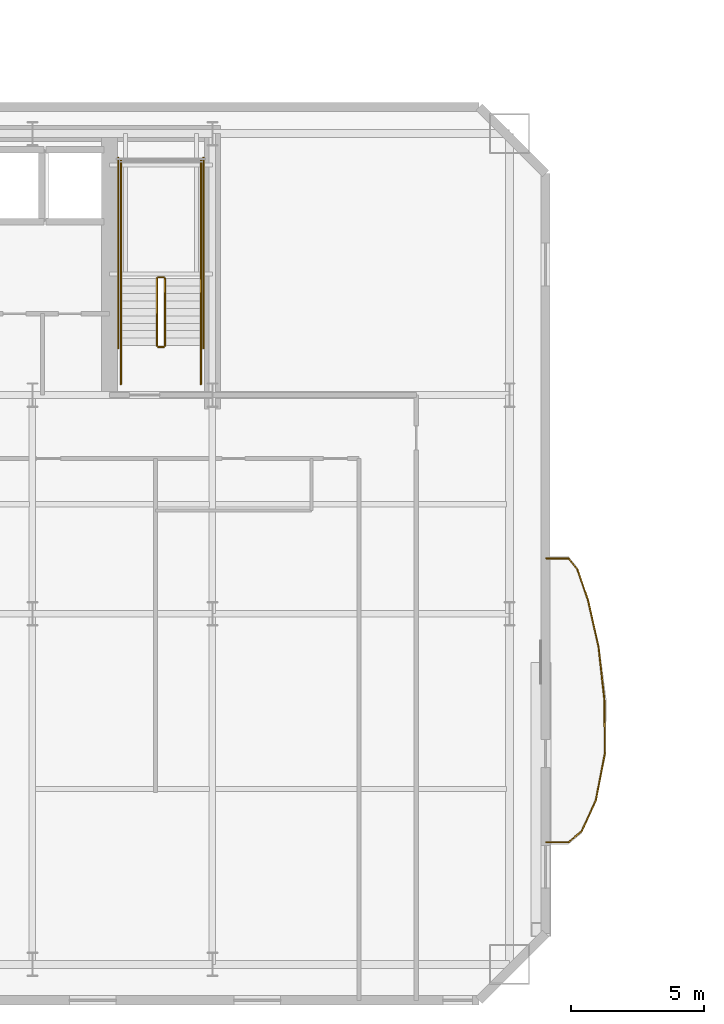
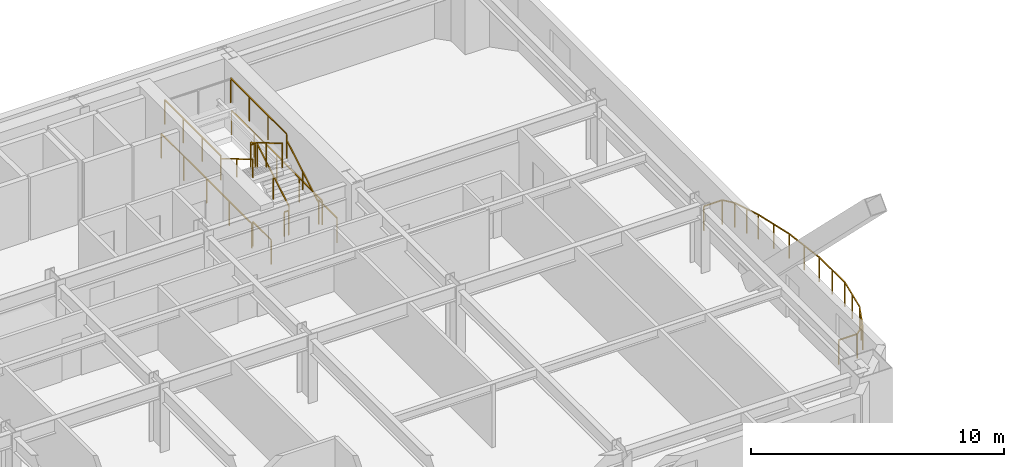
# One storey, part 13 of 18: 22 railings.
"""IFC4 building model written with IfcOpenShell, lengths in metres."""

from ifc_helpers import new_model, si_unit, direction, frame, origin, origin_2d, place, context, subcontext, project, spatial, rectangle, extrude, material, type_object, element, save


model = new_model("IFC4")

# Units and contexts
model_context = context("Model", 3, precision=1e-05, world=origin(), true_north=direction((0.0, 1.0)))
body_context = subcontext(model_context, "Body", "Model", "MODEL_VIEW")
ifc_project = project(units=[si_unit("LENGTHUNIT", "METRE"), si_unit("AREAUNIT", "SQUARE_METRE"), si_unit("VOLUMEUNIT", "CUBIC_METRE"), si_unit("PLANEANGLEUNIT", "RADIAN"), si_unit("MASSUNIT", "GRAM", prefix="KILO")], contexts=[model_context])

# Site, building, storey
site_placement = place(None, origin())
site = spatial("IfcSite", under=ifc_project, at=site_placement, CompositionType="ELEMENT")
building_placement = place(site_placement, origin())
building = spatial("IfcBuilding", under=site, at=building_placement, Name="Haevon Station Towers", CompositionType="ELEMENT")
storey_placement = place(building_placement, frame((0.0, 0.0, 60.300048828125)))
storey = spatial("IfcBuildingStorey", under=building, at=storey_placement, Name="L15", CompositionType="ELEMENT", Elevation=60.300048828125)

# Railings
ifc_material = material(Name="Steel S355", Category="steel")
railing_type_1 = type_object("IfcRailingType", Name="GRD-EXT1200", PredefinedType="GUARDRAIL", material=ifc_material)
railing_1_placement = place(storey_placement, frame((63.523681640625, 21.427734375, 0.0)))
element("IfcRailing", 1, at=railing_1_placement, inside=storey, type_object=railing_type_1, Name="L15 Perimeter Guardrail 1", PredefinedType="GUARDRAIL", context=body_context, shape_type="SweptSolid", body=[
    extrude(rectangle(XDim=0.048095703125, YDim=0.048095703125, at=origin_2d()), frame((0.0, 0.0, 1.17578125), z_axis=(0.999997283225, 0.002330995998, 0.0), x_axis=(-0.002330995998, 0.999997283225, 0.0)), (0.0, 0.0, 1.0), 0.837890625),
    extrude(rectangle(XDim=0.0419921875, YDim=0.0419921875, at=origin_2d()), origin(), (0.0, 0.0, 1.0), 1.15185546875),
    extrude(rectangle(XDim=0.0419921875, YDim=0.0419921875, at=origin_2d()), frame((0.837890625, 0.001953125, 0.0)), (0.0, 0.0, 1.0), 1.15185546875),
])
railing_2_placement = place(storey_placement, frame((64.361572265625, 21.4296875, 0.0)))
element("IfcRailing", 2, at=railing_2_placement, inside=storey, type_object=railing_type_1, Name="L15 Perimeter Guardrail 2", PredefinedType="GUARDRAIL", context=body_context, shape_type="SweptSolid", body=[
    extrude(rectangle(XDim=0.048095703125, YDim=0.048095703125, at=origin_2d()), frame((0.0, 0.0, 1.17578125), z_axis=(0.766342909973, 0.642431742938, 0.0), x_axis=(-0.642431742938, 0.766342909973, 0.0)), (0.0, 0.0, 1.0), 0.640380859375),
    extrude(rectangle(XDim=0.0419921875, YDim=0.0419921875, at=origin_2d()), origin(), (0.0, 0.0, 1.0), 1.15185546875),
    extrude(rectangle(XDim=0.0419921875, YDim=0.0419921875, at=origin_2d()), frame((0.49072265625, 0.411376953125, 0.0)), (0.0, 0.0, 1.0), 1.15185546875),
])
railing_3_placement = place(storey_placement, frame((64.852294921875, 21.841064453125, 0.0)))
element("IfcRailing", 3, at=railing_3_placement, inside=storey, type_object=railing_type_1, Name="L15 Perimeter Guardrail 3", PredefinedType="GUARDRAIL", context=body_context, shape_type="SweptSolid", body=[
    extrude(rectangle(XDim=0.048095703125, YDim=0.048095703125, at=origin_2d()), frame((0.0, 0.0, 1.17578125), z_axis=(0.414318131111, 0.910132125701, 0.0), x_axis=(-0.910132125701, 0.414318131111, 0.0)), (0.0, 0.0, 1.0), 1.28515625),
    extrude(rectangle(XDim=0.0419921875, YDim=0.0419921875, at=origin_2d()), origin(), (0.0, 0.0, 1.0), 1.15185546875),
    extrude(rectangle(XDim=0.0419921875, YDim=0.0419921875, at=origin_2d()), frame((0.26611328125, 0.5849609375, 0.0)), (0.0, 0.0, 1.0), 1.15185546875),
    extrude(rectangle(XDim=0.0419921875, YDim=0.0419921875, at=origin_2d()), frame((0.532470703125, 1.169677734375, 0.0)), (0.0, 0.0, 1.0), 1.15185546875),
])
railing_4_placement = place(storey_placement, frame((65.384765625, 23.0107421875, 0.0)))
element("IfcRailing", 4, at=railing_4_placement, inside=storey, type_object=railing_type_1, Name="L15 Perimeter Guardrail 4", PredefinedType="GUARDRAIL", context=body_context, shape_type="SweptSolid", body=[
    extrude(rectangle(XDim=0.048095703125, YDim=0.048095703125, at=origin_2d()), frame((0.0, 0.0, 1.17578125), z_axis=(0.189270206795, 0.981925042363, 0.0), x_axis=(-0.981925042363, 0.189270206795, 0.0)), (0.0, 0.0, 1.0), 1.777587890625),
    extrude(rectangle(XDim=0.0419921875, YDim=0.0419921875, at=origin_2d()), origin(), (0.0, 0.0, 1.0), 1.15185546875),
    extrude(rectangle(XDim=0.0419921875, YDim=0.0419921875, at=origin_2d()), frame((0.168212890625, 0.87255859375, 0.0)), (0.0, 0.0, 1.0), 1.15185546875),
    extrude(rectangle(XDim=0.0419921875, YDim=0.0419921875, at=origin_2d()), frame((0.33642578125, 1.745361328125, 0.0)), (0.0, 0.0, 1.0), 1.15185546875),
])
railing_5_placement = place(storey_placement, frame((65.72119140625, 24.756103515625, 0.0)))
element("IfcRailing", 5, at=railing_5_placement, inside=storey, type_object=railing_type_1, Name="L15 Perimeter Guardrail 5", PredefinedType="GUARDRAIL", context=body_context, shape_type="SweptSolid", body=[
    extrude(rectangle(XDim=0.048095703125, YDim=0.048095703125, at=origin_2d()), frame((0.0, 0.0, 1.17578125), z_axis=(-0.008448333236, 0.999964312196, 0.0), x_axis=(-0.999964312196, -0.008448333236, 0.0)), (0.0, 0.0, 1.0), 1.993896484375),
    extrude(rectangle(XDim=0.0419921875, YDim=0.0419921875, at=origin_2d()), origin(), (0.0, 0.0, 1.0), 1.15185546875),
    extrude(rectangle(XDim=0.0419921875, YDim=0.0419921875, at=origin_2d()), frame((-0.00830078125, 0.9970703125, 0.0)), (0.0, 0.0, 1.0), 1.15185546875),
    extrude(rectangle(XDim=0.0419921875, YDim=0.0419921875, at=origin_2d()), frame((-0.016845703125, 1.993896484375, 0.0)), (0.0, 0.0, 1.0), 1.15185546875),
])
railing_6_placement = place(storey_placement, frame((65.704345703125, 26.75, 0.0)))
element("IfcRailing", 6, at=railing_6_placement, inside=storey, type_object=railing_type_1, Name="L15 Perimeter Guardrail 6", PredefinedType="GUARDRAIL", context=body_context, shape_type="SweptSolid", body=[
    extrude(rectangle(XDim=0.048095703125, YDim=0.048095703125, at=origin_2d()), frame((0.0, 0.0, 1.17578125), z_axis=(-0.108852691243, 0.994057891478, 0.0), x_axis=(-0.994057891478, -0.108852691243, 0.0)), (0.0, 0.0, 1.0), 2.0029296875),
    extrude(rectangle(XDim=0.0419921875, YDim=0.0419921875, at=origin_2d()), origin(), (0.0, 0.0, 1.0), 1.15185546875),
    extrude(rectangle(XDim=0.0419921875, YDim=0.0419921875, at=origin_2d()), frame((-0.10888671875, 0.99560546875, 0.0)), (0.0, 0.0, 1.0), 1.15185546875),
    extrude(rectangle(XDim=0.0419921875, YDim=0.0419921875, at=origin_2d()), frame((-0.218017578125, 1.990966796875, 0.0)), (0.0, 0.0, 1.0), 1.15185546875),
])
railing_7_placement = place(storey_placement, frame((65.486328125, 28.740966796875, 0.0)))
element("IfcRailing", 7, at=railing_7_placement, inside=storey, type_object=railing_type_1, Name="L15 Perimeter Guardrail 7", PredefinedType="GUARDRAIL", context=body_context, shape_type="SweptSolid", body=[
    extrude(rectangle(XDim=0.048095703125, YDim=0.048095703125, at=origin_2d()), frame((0.0, 0.0, 1.17578125), z_axis=(-0.219570571944, 0.975596619478, 0.0), x_axis=(-0.975596619478, -0.219570571944, 0.0)), (0.0, 0.0, 1.0), 1.791259765625),
    extrude(rectangle(XDim=0.0419921875, YDim=0.0419921875, at=origin_2d()), origin(), (0.0, 0.0, 1.0), 1.15185546875),
    extrude(rectangle(XDim=0.0419921875, YDim=0.0419921875, at=origin_2d()), frame((-0.19677734375, 0.873779296875, 0.0)), (0.0, 0.0, 1.0), 1.15185546875),
    extrude(rectangle(XDim=0.0419921875, YDim=0.0419921875, at=origin_2d()), frame((-0.393310546875, 1.74755859375, 0.0)), (0.0, 0.0, 1.0), 1.15185546875),
])
railing_8_placement = place(storey_placement, frame((65.093017578125, 30.488525390625, 0.0)))
element("IfcRailing", 8, at=railing_8_placement, inside=storey, type_object=railing_type_1, Name="L15 Perimeter Guardrail 8", PredefinedType="GUARDRAIL", context=body_context, shape_type="SweptSolid", body=[
    extrude(rectangle(XDim=0.048095703125, YDim=0.048095703125, at=origin_2d()), frame((0.0, 0.0, 1.17578125), z_axis=(-0.324208289562, 0.94598572134, 0.0), x_axis=(-0.94598572134, -0.324208289562, 0.0)), (0.0, 0.0, 1.0), 1.2373046875),
    extrude(rectangle(XDim=0.0419921875, YDim=0.0419921875, at=origin_2d()), origin(), (0.0, 0.0, 1.0), 1.15185546875),
    extrude(rectangle(XDim=0.0419921875, YDim=0.0419921875, at=origin_2d()), frame((-0.20068359375, 0.585205078125, 0.0)), (0.0, 0.0, 1.0), 1.15185546875),
    extrude(rectangle(XDim=0.0419921875, YDim=0.0419921875, at=origin_2d()), frame((-0.401123046875, 1.17041015625, 0.0)), (0.0, 0.0, 1.0), 1.15185546875),
])
railing_9_placement = place(storey_placement, frame((64.69189453125, 31.658935546875, 0.0)))
element("IfcRailing", 9, at=railing_9_placement, inside=storey, type_object=railing_type_1, Name="L15 Perimeter Guardrail 9", PredefinedType="GUARDRAIL", context=body_context, shape_type="SweptSolid", body=[
    extrude(rectangle(XDim=0.048095703125, YDim=0.048095703125, at=origin_2d()), frame((0.0, 0.0, 1.17578125), z_axis=(-0.626104860379, 0.779738868987, 0.0), x_axis=(-0.779738868987, -0.626104860379, 0.0)), (0.0, 0.0, 1.0), 0.527587890625),
    extrude(rectangle(XDim=0.0419921875, YDim=0.0419921875, at=origin_2d()), origin(), (0.0, 0.0, 1.0), 1.15185546875),
    extrude(rectangle(XDim=0.0419921875, YDim=0.0419921875, at=origin_2d()), frame((-0.330322265625, 0.411376953125, 0.0)), (0.0, 0.0, 1.0), 1.15185546875),
])
railing_10_placement = place(storey_placement, frame((64.361572265625, 32.0703125, 0.0)))
element("IfcRailing", 10, at=railing_10_placement, inside=storey, type_object=railing_type_1, Name="L15 Perimeter Guardrail 10", PredefinedType="GUARDRAIL", context=body_context, shape_type="SweptSolid", body=[
    extrude(rectangle(XDim=0.048095703125, YDim=0.048095703125, at=origin_2d()), frame((0.0, 0.0, 1.17578125), z_axis=(-0.999997283225, 0.002330995998, 0.0), x_axis=(-0.002330995998, -0.999997283225, 0.0)), (0.0, 0.0, 1.0), 0.837890625),
    extrude(rectangle(XDim=0.0419921875, YDim=0.0419921875, at=origin_2d()), origin(), (0.0, 0.0, 1.0), 1.15185546875),
    extrude(rectangle(XDim=0.0419921875, YDim=0.0419921875, at=origin_2d()), frame((-0.837890625, 0.001953125, 0.0)), (0.0, 0.0, 1.0), 1.15185546875),
])
railing_type_2 = type_object("IfcRailingType", Name="GRD-STR1200", PredefinedType="GUARDRAIL", material=ifc_material)
railing_11_placement = place(storey_placement, frame((49.219970703125, 40.050048828125, 0.1650390625)))
element("IfcRailing", 11, at=railing_11_placement, inside=storey, type_object=railing_type_2, Name="L15 ST2 Stair Guard 1", PredefinedType="GUARDRAIL", context=body_context, shape_type="SweptSolid", body=[
    extrude(rectangle(XDim=0.048095703125, YDim=0.048095703125, at=origin_2d()), frame((0.0, 0.0, 1.17578125), z_axis=(0.0, 0.861560626758, 0.507654692109), x_axis=(-1.0, 0.0, 0.0)), (0.0, 0.0, 1.0), 2.925048828125),
    extrude(rectangle(XDim=0.0419921875, YDim=0.0419921875, at=origin_2d()), origin(), (0.0, 0.0, 1.0), 1.15185546875),
    extrude(rectangle(XDim=0.0419921875, YDim=0.0419921875, at=origin_2d()), frame((0.0, 1.260009765625, 0.742431640625)), (0.0, 0.0, 1.0), 1.15185546875),
    extrude(rectangle(XDim=0.0419921875, YDim=0.0419921875, at=origin_2d()), frame((0.0, 2.52001953125, 1.48486328125)), (0.0, 0.0, 1.0), 1.15185546875),
])
railing_12_placement = place(storey_placement, frame((49.169921875, 42.6201171875, 1.64990234375)))
element("IfcRailing", 12, at=railing_12_placement, inside=storey, type_object=railing_type_2, Name="L15 ST2 Stair Guard 2", PredefinedType="GUARDRAIL", context=body_context, shape_type="SweptSolid", body=[
    extrude(rectangle(XDim=0.048095703125, YDim=0.048095703125, at=origin_2d()), frame((0.0, 0.0, 1.17578125), z_axis=(-1.0, 0.0, 0.0), x_axis=(0.0, -1.0, 0.0)), (0.0, 0.0, 1.0), 0.199951171875),
    extrude(rectangle(XDim=0.0419921875, YDim=0.0419921875, at=origin_2d()), origin(), (0.0, 0.0, 1.0), 1.15185546875),
    extrude(rectangle(XDim=0.0419921875, YDim=0.0419921875, at=origin_2d()), frame((-0.199951171875, 0.0, 0.0)), (0.0, 0.0, 1.0), 1.15185546875),
])
for number, where, name in (
    (13, (50.570068359375, 42.570068359375, 1.64990234375), "L15 ST2 Stair Guard 3"),
    (14, (47.570068359375, 42.570068359375, 1.64990234375), "L15 ST2 Stair Guard 4"),
):
    element("IfcRailing", number, at=place(storey_placement, frame(where)), inside=storey, type_object=railing_type_2, Name=name, PredefinedType="GUARDRAIL", context=body_context, shape_type="SweptSolid", body=[
        extrude(rectangle(XDim=0.048095703125, YDim=0.048095703125, at=origin_2d()), frame((0.0, 0.0, 1.17578125), z_axis=(0.0, 1.0, 0.0), x_axis=(-1.0, 0.0, 0.0)), (0.0, 0.0, 1.0), 4.429931640625),
        extrude(rectangle(XDim=0.0419921875, YDim=0.0419921875, at=origin_2d()), origin(), (0.0, 0.0, 1.0), 1.15185546875),
        extrude(rectangle(XDim=0.0419921875, YDim=0.0419921875, at=origin_2d()), frame((0.0, 1.4765625, 0.0)), (0.0, 0.0, 1.0), 1.15185546875),
        extrude(rectangle(XDim=0.0419921875, YDim=0.0419921875, at=origin_2d()), frame((0.0, 2.953369140625, 0.0)), (0.0, 0.0, 1.0), 1.15185546875),
        extrude(rectangle(XDim=0.0419921875, YDim=0.0419921875, at=origin_2d()), frame((0.0, 4.429931640625, 0.0)), (0.0, 0.0, 1.0), 1.15185546875),
    ])
railing_13_placement = place(storey_placement, frame((48.919921875, 42.570068359375, 1.81494140625)))
element("IfcRailing", 15, at=railing_13_placement, inside=storey, type_object=railing_type_2, Name="L15 ST2 Stair Guard 6", PredefinedType="GUARDRAIL", context=body_context, shape_type="SweptSolid", body=[
    extrude(rectangle(XDim=0.048095703125, YDim=0.048095703125, at=origin_2d()), frame((0.0, 0.0, 1.17578125), z_axis=(0.0, -0.86152411907, 0.507716645641), x_axis=(1.0, 0.0, 0.0)), (0.0, 0.0, 1.0), 2.925048828125),
    extrude(rectangle(XDim=0.0419921875, YDim=0.0419921875, at=origin_2d()), origin(), (0.0, 0.0, 1.0), 1.15185546875),
    extrude(rectangle(XDim=0.0419921875, YDim=0.0419921875, at=origin_2d()), frame((0.0, -1.260009765625, 0.74267578125)), (0.0, 0.0, 1.0), 1.15185546875),
    extrude(rectangle(XDim=0.0419921875, YDim=0.0419921875, at=origin_2d()), frame((0.0, -2.52001953125, 1.485107421875)), (0.0, 0.0, 1.0), 1.15185546875),
])
railing_14_placement = place(storey_placement, frame((49.169921875, 40.0, 0.0)))
element("IfcRailing", 16, at=railing_14_placement, inside=storey, type_object=railing_type_2, Name="L15 ST2 Stair Guard 7", PredefinedType="GUARDRAIL", context=body_context, shape_type="SweptSolid", body=[
    extrude(rectangle(XDim=0.048095703125, YDim=0.048095703125, at=origin_2d()), frame((0.0, 0.0, 1.17578125), z_axis=(-1.0, 0.0, 0.0), x_axis=(0.0, -1.0, 0.0)), (0.0, 0.0, 1.0), 0.199951171875),
    extrude(rectangle(XDim=0.0419921875, YDim=0.0419921875, at=origin_2d()), origin(), (0.0, 0.0, 1.0), 1.15185546875),
    extrude(rectangle(XDim=0.0419921875, YDim=0.0419921875, at=origin_2d()), frame((-0.199951171875, 0.0, 0.0)), (0.0, 0.0, 1.0), 1.15185546875),
])
for number, where, name in (
    (17, (50.570068359375, 38.60009765625, 0.0), "L15 ST2 Stair Guard 8"),
    (18, (47.570068359375, 38.60009765625, 0.0), "L15 ST2 Stair Guard 9"),
):
    element("IfcRailing", number, at=place(storey_placement, frame(where)), inside=storey, type_object=railing_type_2, Name=name, PredefinedType="GUARDRAIL", context=body_context, shape_type="SweptSolid", body=[
        extrude(rectangle(XDim=0.048095703125, YDim=0.048095703125, at=origin_2d()), frame((0.0, 0.0, 1.17578125), z_axis=(0.0, 1.0, 0.0), x_axis=(-1.0, 0.0, 0.0)), (0.0, 0.0, 1.0), 1.449951171875),
        extrude(rectangle(XDim=0.0419921875, YDim=0.0419921875, at=origin_2d()), origin(), (0.0, 0.0, 1.0), 1.15185546875),
        extrude(rectangle(XDim=0.0419921875, YDim=0.0419921875, at=origin_2d()), frame((0.0, 1.449951171875, 0.0)), (0.0, 0.0, 1.0), 1.15185546875),
    ])
for number, where, name in (
    (19, (50.669921875, 39.949951171875, 0.0), "L15 ST2 Stair Guard 10"),
    (20, (47.469970703125, 39.949951171875, 0.0), "L15 ST2 Stair Guard 11"),
):
    element("IfcRailing", number, at=place(storey_placement, frame(where)), inside=storey, type_object=railing_type_2, Name=name, PredefinedType="GUARDRAIL", context=body_context, shape_type="SweptSolid", body=[
        extrude(rectangle(XDim=0.048095703125, YDim=0.048095703125, at=origin_2d()), frame((0.0, 0.0, 1.17578125), z_axis=(0.0, 1.0, 0.0), x_axis=(-1.0, 0.0, 0.0)), (0.0, 0.0, 1.0), 7.150146484375),
        extrude(rectangle(XDim=0.0419921875, YDim=0.0419921875, at=origin_2d()), origin(), (0.0, 0.0, 1.0), 1.15185546875),
        extrude(rectangle(XDim=0.0419921875, YDim=0.0419921875, at=origin_2d()), frame((0.0, 1.78759765625, 0.0)), (0.0, 0.0, 1.0), 1.15185546875),
        extrude(rectangle(XDim=0.0419921875, YDim=0.0419921875, at=origin_2d()), frame((0.0, 3.5751953125, 0.0)), (0.0, 0.0, 1.0), 1.15185546875),
        extrude(rectangle(XDim=0.0419921875, YDim=0.0419921875, at=origin_2d()), frame((0.0, 5.362548828125, 0.0)), (0.0, 0.0, 1.0), 1.15185546875),
        extrude(rectangle(XDim=0.0419921875, YDim=0.0419921875, at=origin_2d()), frame((0.0, 7.150146484375, 0.0)), (0.0, 0.0, 1.0), 1.15185546875),
    ])
railing_type_3 = type_object("IfcRailingType", Name="HND-STR900", PredefinedType="HANDRAIL", material=ifc_material)
railing_15_placement = place(storey_placement, frame((50.570068359375, 40.050048828125, 0.1650390625)))
element("IfcRailing", 21, at=railing_15_placement, inside=storey, type_object=railing_type_3, Name="L15 ST2 Stair Handrail 1", PredefinedType="HANDRAIL", context=body_context, shape_type="SweptSolid", body=[
    extrude(rectangle(XDim=0.048095703125, YDim=0.048095703125, at=origin_2d()), frame((0.0, 0.0, 0.8759765625), z_axis=(0.0, 0.861560626758, 0.507654692109), x_axis=(-1.0, 0.0, 0.0)), (0.0, 0.0, 1.0), 2.925048828125),
    extrude(rectangle(XDim=0.0419921875, YDim=0.0419921875, at=origin_2d()), origin(), (0.0, 0.0, 1.0), 0.851806640625),
    extrude(rectangle(XDim=0.0419921875, YDim=0.0419921875, at=origin_2d()), frame((0.0, 1.260009765625, 0.742431640625)), (0.0, 0.0, 1.0), 0.851806640625),
    extrude(rectangle(XDim=0.0419921875, YDim=0.0419921875, at=origin_2d()), frame((0.0, 2.52001953125, 1.48486328125)), (0.0, 0.0, 1.0), 0.851806640625),
])
railing_16_placement = place(storey_placement, frame((47.570068359375, 42.570068359375, 1.81494140625)))
element("IfcRailing", 22, at=railing_16_placement, inside=storey, type_object=railing_type_3, Name="L15 ST2 Stair Handrail 2", PredefinedType="HANDRAIL", context=body_context, shape_type="SweptSolid", body=[
    extrude(rectangle(XDim=0.048095703125, YDim=0.048095703125, at=origin_2d()), frame((0.0, 0.0, 0.8759765625), z_axis=(0.0, -0.86152411907, 0.507716645641), x_axis=(1.0, 0.0, 0.0)), (0.0, 0.0, 1.0), 2.925048828125),
    extrude(rectangle(XDim=0.0419921875, YDim=0.0419921875, at=origin_2d()), origin(), (0.0, 0.0, 1.0), 0.851806640625),
    extrude(rectangle(XDim=0.0419921875, YDim=0.0419921875, at=origin_2d()), frame((0.0, -1.260009765625, 0.74267578125)), (0.0, 0.0, 1.0), 0.851806640625),
    extrude(rectangle(XDim=0.0419921875, YDim=0.0419921875, at=origin_2d()), frame((0.0, -2.52001953125, 1.485107421875)), (0.0, 0.0, 1.0), 0.851806640625),
])

save(model, "model.ifc")
